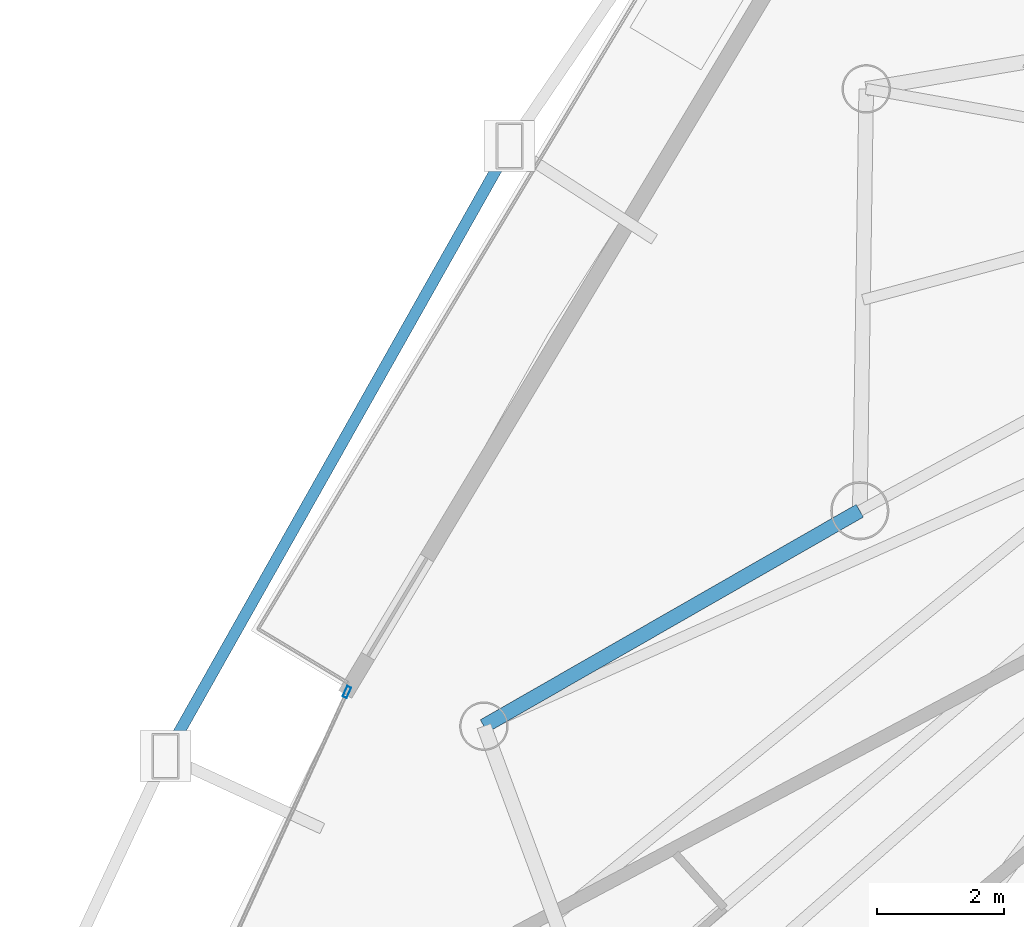
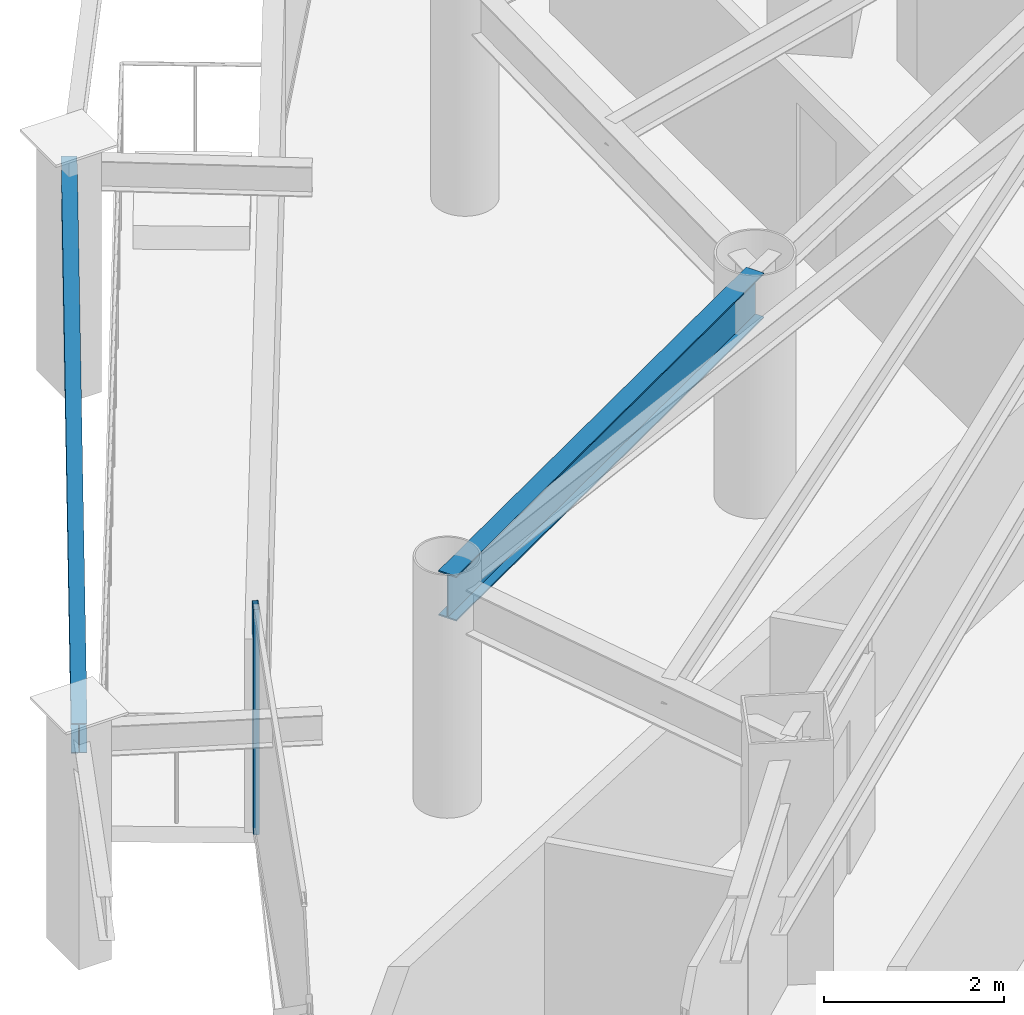
# One storey, part 11 of 38: 2 beams, 1 member, 1 element without a shape of its own.
"""IFC4 building model written with IfcOpenShell, lengths in metres."""

from ifc_helpers import new_model, si_unit, direction, frame, origin, origin_2d, place, context, subcontext, project, spatial, hollow_rectangle, i_section, extrude, material, layer, layer_set, material_profile, profile_set, type_object, element, aggregate, save


model = new_model("IFC4")

# Units and contexts
model_context = context("Model", 3, precision=1e-05, world=origin(), true_north=direction((0.0, 1.0)))
body_context = subcontext(model_context, "Body", "Model", "MODEL_VIEW")
ifc_project = project(units=[si_unit("LENGTHUNIT", "METRE"), si_unit("AREAUNIT", "SQUARE_METRE"), si_unit("VOLUMEUNIT", "CUBIC_METRE"), si_unit("PLANEANGLEUNIT", "RADIAN"), si_unit("MASSUNIT", "GRAM", prefix="KILO")], contexts=[model_context])

# Site, building, storey
site_placement = place(None, origin())
site = spatial("IfcSite", under=ifc_project, at=site_placement, CompositionType="ELEMENT")
building_placement = place(site_placement, origin())
building = spatial("IfcBuilding", under=site, at=building_placement, Name="Orvanel Arch Residences", CompositionType="ELEMENT")
storey_placement = place(building_placement, frame((0.0, 0.0, 50.0)))
storey = spatial("IfcBuildingStorey", under=building, at=storey_placement, Name="L13", CompositionType="ELEMENT", Elevation=50.0)

# Curtain wall, member
ifc_material_1 = material(Name="Bronze-anodised aluminium AA6063-T6", Category="aluminium")
ifc_layer = layer(ifc_material_1, 0.179931640625)
ifc_layer_set = layer_set([ifc_layer], Name="Bronze-anodised aluminium AA6063-T6")
curtain_wall_type = type_object("IfcCurtainWallType", Name="CW2-LOW-SYS", PredefinedType="NOTDEFINED", material=ifc_layer_set)
curtain_wall_placement = place(storey_placement, origin())
curtain_wall = element("IfcCurtainWall", 1, at=curtain_wall_placement, inside=storey, type_object=curtain_wall_type, Name="L13 CW2-LOW-SYS Unitised Curtain Wall", PredefinedType="NOTDEFINED")
ifc_material_profile_1 = material_profile(ifc_material_1, hollow_rectangle(XDim=0.070068359375, YDim=0.179931640625, WallThickness=0.00439453125, at=origin_2d()), Name="ALU180x70x4.5")
ifc_profile_set_1 = profile_set([ifc_material_profile_1], Name="Bronze-anodised aluminium AA6063-T6")
member_type = type_object("IfcMemberType", Name="MUL-180x70", PredefinedType="MULLION", material=ifc_profile_set_1)
member_placement = place(storey_placement, frame((12.509521484375, 24.791259765625, 0.0), z_axis=(0.0, 0.0, 1.0), x_axis=(0.909193369398, -0.416374131092, 0.0)))
member = element("IfcMember", 2, at=member_placement, type_object=member_type, Name="CW-S2 mullion 1", PredefinedType="MULLION", context=body_context, shape_type="SweptSolid", body=[
    extrude(hollow_rectangle(XDim=0.070068359375, YDim=0.179931640625, WallThickness=0.00439453125, at=origin_2d()), origin(), (0.0, 0.0, 1.0), 3.06005859375),
])
aggregate(curtain_wall, [member])

# Beams
ifc_material_2 = material(Name="Structural steel AS/NZS 3679.1 Grade 300 (300 MPa)", Category="steel")
ifc_material_profile_2 = material_profile(ifc_material_2, i_section(OverallWidth=0.177978515625, OverallDepth=0.406005859375, WebThickness=0.0078125, FlangeThickness=0.0126953125, at=origin_2d()), Name="410UB59.7")
ifc_profile_set_2 = profile_set([ifc_material_profile_2], Name="Structural steel AS/NZS 3679.1 Grade 300 (300 MPa)")
beam_type_1 = type_object("IfcBeamType", Name="OB-410UB-EXT", PredefinedType="SPANDREL", material=ifc_profile_set_2)
beam_1_placement = place(storey_placement, frame((15.06591796875, 33.3740234375, 2.85693359375), z_axis=(-0.491165449777, -0.871066301119, 0.0), x_axis=(0.871066301119, -0.491165449777, 0.0)))
element("IfcBeam", 3, at=beam_1_placement, inside=storey, type_object=beam_type_1, Name="L13 Outer Perimeter Floor Ring Beam 02", PredefinedType="SPANDREL", context=body_context, shape_type="SweptSolid", body=[
    extrude(i_section(OverallWidth=0.177978515625, OverallDepth=0.406005859375, WebThickness=0.0078125, FlangeThickness=0.0126953125, at=origin_2d()), origin(), (0.0, 0.0, 1.0), 11.008544921875),
])
ifc_material_profile_3 = material_profile(ifc_material_2, i_section(OverallWidth=0.22900390625, OverallDepth=0.612060546875, WebThickness=0.011962890625, FlangeThickness=0.01953125, at=origin_2d()), Name="610UB125")
ifc_profile_set_3 = profile_set([ifc_material_profile_3], Name="Structural steel AS/NZS 3679.1 Grade 300 (300 MPa)")
beam_type_2 = type_object("IfcBeamType", Name="SP-610UB", PredefinedType="SPANDREL", material=ifc_profile_set_3)
beam_2_placement = place(storey_placement, frame((20.569091796875, 27.64111328125, 2.75390625), z_axis=(-0.867635629025, -0.497200578485, 0.0), x_axis=(0.497200578485, -0.867635629025, 0.0)))
element("IfcBeam", 4, at=beam_2_placement, inside=storey, type_object=beam_type_2, Name="L13 Perimeter Spandrel Beam 21", PredefinedType="SPANDREL", context=body_context, shape_type="SweptSolid", body=[
    extrude(i_section(OverallWidth=0.22900390625, OverallDepth=0.612060546875, WebThickness=0.011962890625, FlangeThickness=0.01953125, at=origin_2d()), origin(), (0.0, 0.0, 1.0), 6.80810546875),
])

save(model, "model.ifc")
